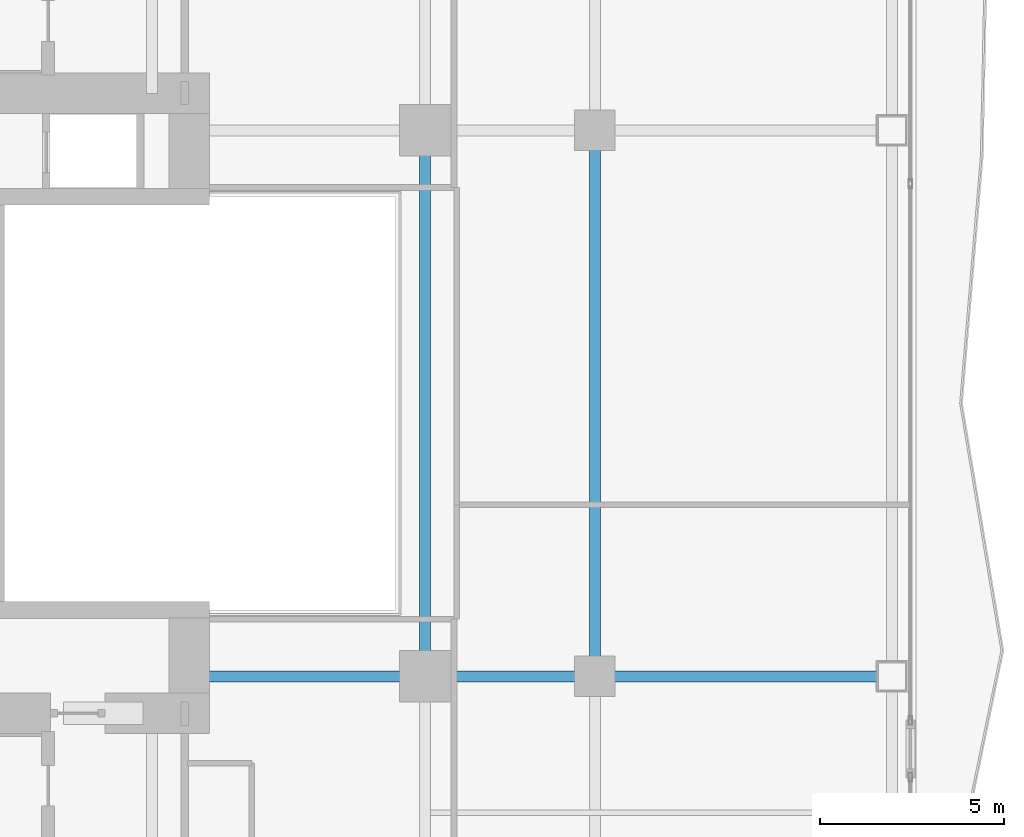
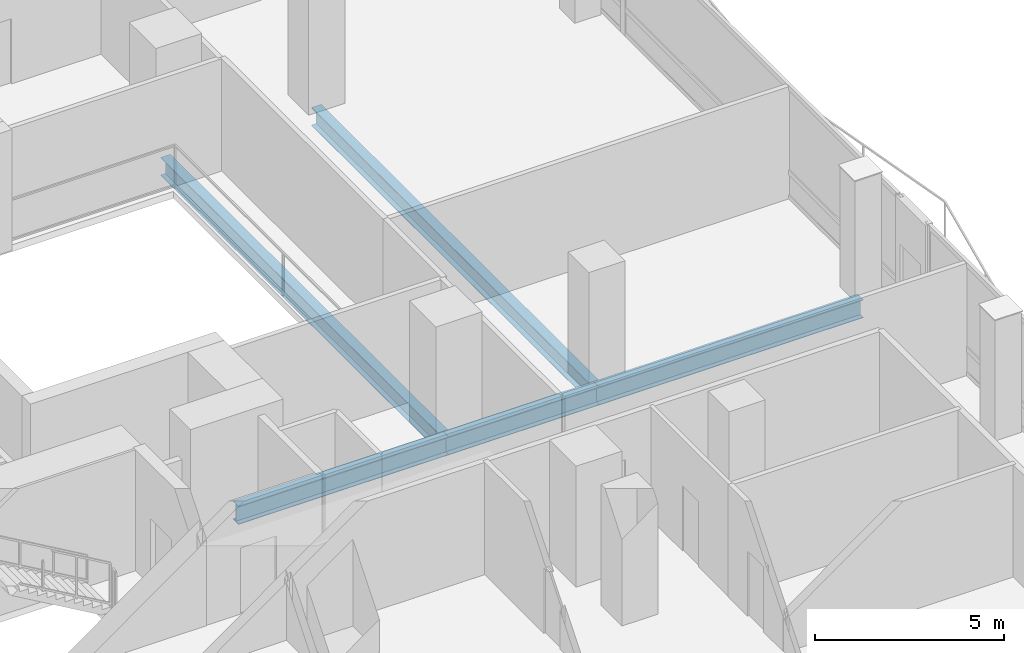
# One storey, part 11 of 27: 5 beams.
"""IFC4 building model written with IfcOpenShell, lengths in metres."""

from ifc_helpers import new_model, si_unit, direction, frame, origin, origin_2d, place, context, subcontext, project, spatial, i_section, extrude, material, material_profile, profile_set, type_object, element, save


model = new_model("IFC4")

# Units and contexts
model_context = context("Model", 3, precision=1e-05, world=origin(), true_north=direction((0.0, 1.0)))
body_context = subcontext(model_context, "Body", "Model", "MODEL_VIEW")
ifc_project = project(units=[si_unit("LENGTHUNIT", "METRE"), si_unit("AREAUNIT", "SQUARE_METRE"), si_unit("VOLUMEUNIT", "CUBIC_METRE"), si_unit("PLANEANGLEUNIT", "RADIAN"), si_unit("MASSUNIT", "GRAM", prefix="KILO")], contexts=[model_context])

# Site, building, storey
site_placement = place(None, origin())
site = spatial("IfcSite", under=ifc_project, at=site_placement, CompositionType="ELEMENT")
building_placement = place(site_placement, origin())
building = spatial("IfcBuilding", under=site, at=building_placement, Name="Khorvyn Point Tower", CompositionType="ELEMENT")
storey_placement = place(building_placement, frame((0.0, 0.0, 50.10009765625)))
storey = spatial("IfcBuildingStorey", under=building, at=storey_placement, Name="L13", CompositionType="ELEMENT", Elevation=50.10009765625)

# Beams
ifc_material = material(Name="Steel S355", Category="steel")
ifc_material_profile = material_profile(ifc_material, i_section(OverallWidth=0.300048828125, OverallDepth=0.587890625, WebThickness=0.011962890625, FlangeThickness=0.02001953125, at=origin_2d()))
ifc_profile_set = profile_set([ifc_material_profile], Name="Steel S355 H588x300x12x20")
beam_type = type_object("IfcBeamType", Name="Steel S355 Beam H588x300x12x20", PredefinedType="BEAM", material=ifc_profile_set)
beam_1_placement = place(storey_placement, frame((8.39990234375, -7.39990234375, -0.51416015625), z_axis=(1.0, 0.0, 0.0), x_axis=(0.0, 1.0, 0.0)))
element("IfcBeam", 1, at=beam_1_placement, inside=storey, type_object=beam_type, Name="Beam", PredefinedType="BEAM", context=body_context, shape_type="SweptSolid", body=[
    extrude(i_section(OverallWidth=0.300048828125, OverallDepth=0.587890625, WebThickness=0.011962890625, FlangeThickness=0.02001953125, at=origin_2d()), origin(), (0.0, 0.0, 1.0), 6.400146484375),
])
beam_2_placement = place(storey_placement, frame((14.800048828125, -7.39990234375, -0.51416015625), z_axis=(1.0, 0.0, 0.0), x_axis=(0.0, 1.0, 0.0)))
element("IfcBeam", 2, at=beam_2_placement, inside=storey, type_object=beam_type, Name="Beam", PredefinedType="BEAM", context=body_context, shape_type="SweptSolid", body=[
    extrude(i_section(OverallWidth=0.300048828125, OverallDepth=0.587890625, WebThickness=0.011962890625, FlangeThickness=0.02001953125, at=origin_2d()), origin(), (0.0, 0.0, 1.0), 4.599853515625),
])
beam_3_placement = place(storey_placement, frame((19.39990234375, -7.39990234375, -0.51416015625), z_axis=(1.0, 0.0, 0.0), x_axis=(0.0, 1.0, 0.0)))
element("IfcBeam", 3, at=beam_3_placement, inside=storey, type_object=beam_type, Name="Beam", PredefinedType="BEAM", context=body_context, shape_type="SweptSolid", body=[
    extrude(i_section(OverallWidth=0.300048828125, OverallDepth=0.587890625, WebThickness=0.011962890625, FlangeThickness=0.02001953125, at=origin_2d()), origin(), (0.0, 0.0, 1.0), 8.050048828125),
])
for number, where, z_axis, x_axis, name in (
    (4, (14.800048828125, -7.39990234375, -0.51416015625), (0.0, 1.0, 0.0), (-1.0, 0.0, 0.0), "Beam"),
    (5, (19.39990234375, -7.39990234375, -0.51416015625), (0.0, 1.0, 0.0), (-1.0, 0.0, 0.0), "Beam"),
):
    element("IfcBeam", number, at=place(storey_placement, frame(where, z_axis=z_axis, x_axis=x_axis)), inside=storey, type_object=beam_type, Name=name, PredefinedType="BEAM", context=body_context, shape_type="SweptSolid", body=[
        extrude(i_section(OverallWidth=0.300048828125, OverallDepth=0.587890625, WebThickness=0.011962890625, FlangeThickness=0.02001953125, at=origin_2d()), origin(), (0.0, 0.0, 1.0), 14.7998046875),
    ])

save(model, "model.ifc")
